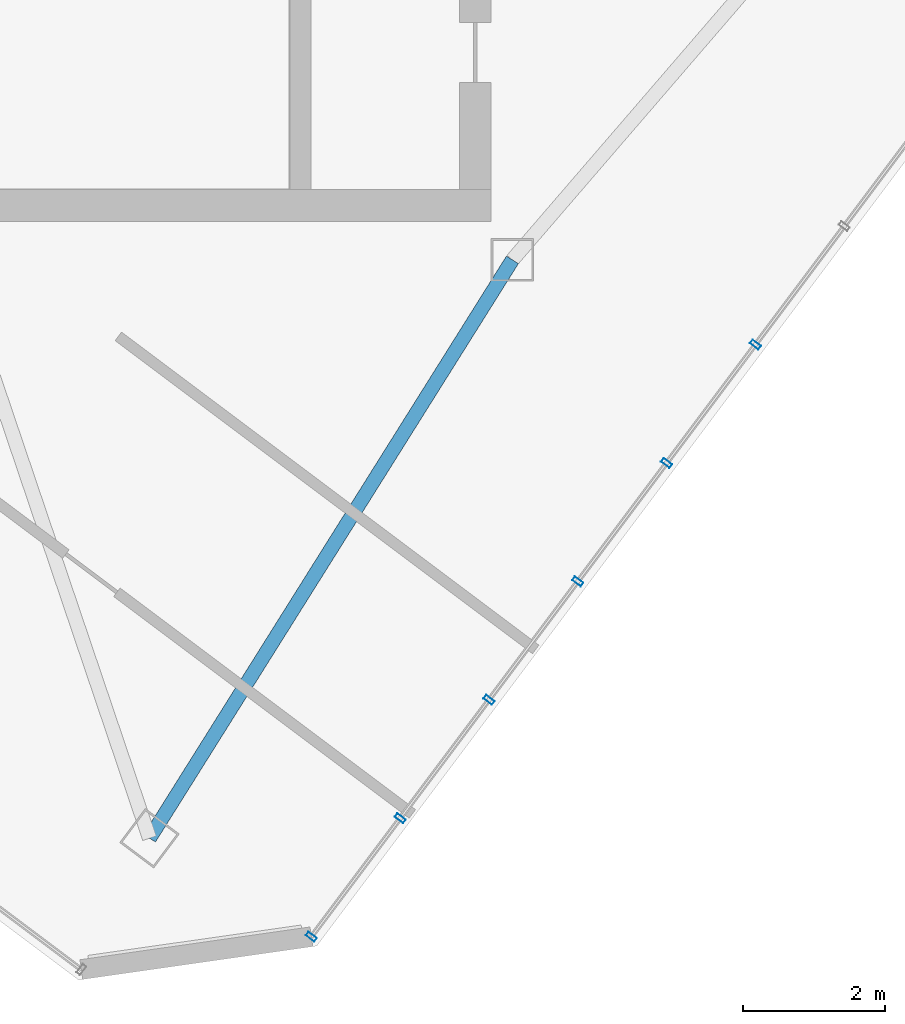
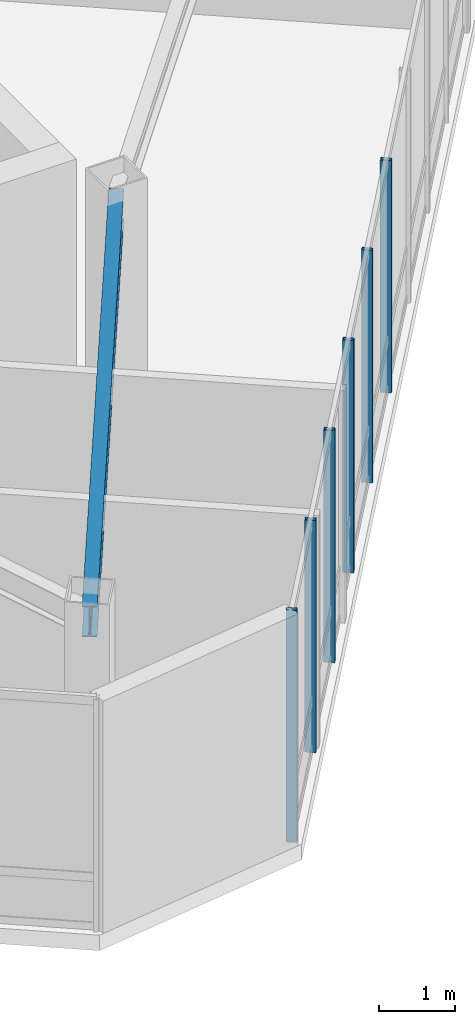
# One storey, part 7 of 21: 6 members, 1 beam, 1 element without a shape of its own.
"""IFC4 building model written with IfcOpenShell, lengths in metres."""

from ifc_helpers import new_model, si_unit, direction, frame, origin, origin_2d, place, context, subcontext, project, spatial, hollow_rectangle, i_section, extrude, material, layer, layer_set, material_profile, profile_set, type_object, element, aggregate, save


model = new_model("IFC4")

# Units and contexts
model_context = context("Model", 3, precision=1e-05, world=origin(), true_north=direction((0.0, 1.0)))
body_context = subcontext(model_context, "Body", "Model", "MODEL_VIEW")
ifc_project = project(units=[si_unit("LENGTHUNIT", "METRE"), si_unit("AREAUNIT", "SQUARE_METRE"), si_unit("VOLUMEUNIT", "CUBIC_METRE"), si_unit("PLANEANGLEUNIT", "RADIAN"), si_unit("MASSUNIT", "GRAM", prefix="KILO")], contexts=[model_context])

# Site, building, storey
site_placement = place(None, origin())
site = spatial("IfcSite", under=ifc_project, at=site_placement, CompositionType="ELEMENT")
building_placement = place(site_placement, origin())
building = spatial("IfcBuilding", under=site, at=building_placement, Name="Hatsunagi Terrace Concourse", CompositionType="ELEMENT")
storey_placement = place(building_placement, frame((0.0, 0.0, 265.949951171875)))
storey = spatial("IfcBuildingStorey", under=building, at=storey_placement, Name="L70", CompositionType="ELEMENT", Elevation=265.949951171875)

# Beam
ifc_material_1 = material(Name="Steel SN490B", Category="steel")
ifc_material_profile_1 = material_profile(ifc_material_1, i_section(OverallWidth=0.199951171875, OverallDepth=0.5, WebThickness=0.010009765625, FlangeThickness=0.01611328125, FilletRadius=0.01611328125, at=origin_2d()), Name="H-500x200x10x16")
ifc_profile_set_1 = profile_set([ifc_material_profile_1], Name="Steel SN490B")
beam_type = type_object("IfcBeamType", Name="CrownFloorGirder_H_500x200", PredefinedType="BEAM", material=ifc_profile_set_1)
beam_placement = place(storey_placement, frame((38.679931640625, 16.0400390625, 3.5), z_axis=(0.531503907049, 0.847055840421, 0.0), x_axis=(-0.847055840421, 0.531503907049, 0.0)))
element("IfcBeam", 1, at=beam_placement, inside=storey, type_object=beam_type, Name="Beam G-07 BM-L70-SET-1A", PredefinedType="BEAM", context=body_context, shape_type="SweptSolid", body=[
    extrude(i_section(OverallWidth=0.199951171875, OverallDepth=0.5, WebThickness=0.010009765625, FlangeThickness=0.01611328125, FilletRadius=0.01611328125, at=origin_2d()), origin(), (0.0, 0.0, 1.0), 9.63330078125),
])

# Curtain wall, members
ifc_material_2 = material(Name="Anodised Aluminium Alloy 6063-T5", Category="aluminium")
ifc_layer = layer(ifc_material_2, 0.199951171875)
ifc_layer_set = layer_set([ifc_layer], Name="CrownWintergarden_CW06")
curtain_wall_type = type_object("IfcCurtainWallType", Name="CrownWintergarden_CW06", PredefinedType="NOTDEFINED", material=ifc_layer_set)
curtain_wall_placement = place(storey_placement, origin())
curtain_wall = element("IfcCurtainWall", 2, at=curtain_wall_placement, inside=storey, type_object=curtain_wall_type, Name="Unitised Curtain Wall CW-06 CW-L70-03", PredefinedType="NOTDEFINED")
ifc_material_3 = material(Name="Anodised Aluminium Alloy 6063-T5", Category="aluminium")
ifc_material_profile_2 = material_profile(ifc_material_3, hollow_rectangle(XDim=0.06494140625, YDim=0.14990234375, WallThickness=0.00390625, at=origin_2d()), Name="ALU-MUL-150x65x4")
ifc_profile_set_2 = profile_set([ifc_material_profile_2], Name="Anodised Aluminium Alloy 6063-T5")
member_type = type_object("IfcMemberType", Name="CurtainWallMullion_Crown_150x65", PredefinedType="MULLION", material=ifc_profile_set_2)
member_1_placement = place(storey_placement, frame((47.22802734375, 23.00390625, 0.0), z_axis=(0.0, 0.0, 1.0), x_axis=(-0.599969314634, -0.800023013105, 0.0)))
member_1 = element("IfcMember", 3, at=member_1_placement, type_object=member_type, Name="Curtain Wall Mullion MUL-03", PredefinedType="MULLION", context=body_context, shape_type="SweptSolid", body=[
    extrude(hollow_rectangle(XDim=0.06494140625, YDim=0.14990234375, WallThickness=0.00390625, at=origin_2d()), origin(), (0.0, 0.0, 1.0), 3.75),
])
member_2_placement = place(storey_placement, frame((45.97509765625, 21.3330078125, 0.0), z_axis=(0.0, 0.0, 1.0), x_axis=(-0.599969314634, -0.800023013105, 0.0)))
member_2 = element("IfcMember", 4, at=member_2_placement, type_object=member_type, Name="Curtain Wall Mullion MUL-03", PredefinedType="MULLION", context=body_context, shape_type="SweptSolid", body=[
    extrude(hollow_rectangle(XDim=0.06494140625, YDim=0.14990234375, WallThickness=0.00390625, at=origin_2d()), origin(), (0.0, 0.0, 1.0), 3.75),
])
member_3_placement = place(storey_placement, frame((44.721923828125, 19.662109375, 0.0), z_axis=(0.0, 0.0, 1.0), x_axis=(-0.599969314634, -0.800023013105, 0.0)))
member_3 = element("IfcMember", 5, at=member_3_placement, type_object=member_type, Name="Curtain Wall Mullion MUL-03", PredefinedType="MULLION", context=body_context, shape_type="SweptSolid", body=[
    extrude(hollow_rectangle(XDim=0.06494140625, YDim=0.14990234375, WallThickness=0.00390625, at=origin_2d()), origin(), (0.0, 0.0, 1.0), 3.75),
])
member_4_placement = place(storey_placement, frame((43.468994140625, 17.991943359375, 0.0), z_axis=(0.0, 0.0, 1.0), x_axis=(-0.599969314634, -0.800023013105, 0.0)))
member_4 = element("IfcMember", 6, at=member_4_placement, type_object=member_type, Name="Curtain Wall Mullion MUL-03", PredefinedType="MULLION", context=body_context, shape_type="SweptSolid", body=[
    extrude(hollow_rectangle(XDim=0.06494140625, YDim=0.14990234375, WallThickness=0.00390625, at=origin_2d()), origin(), (0.0, 0.0, 1.0), 3.75),
])
member_5_placement = place(storey_placement, frame((42.216064453125, 16.321044921875, 0.0), z_axis=(0.0, 0.0, 1.0), x_axis=(-0.599969314634, -0.800023013105, 0.0)))
member_5 = element("IfcMember", 7, at=member_5_placement, type_object=member_type, Name="Curtain Wall Mullion MUL-03", PredefinedType="MULLION", context=body_context, shape_type="SweptSolid", body=[
    extrude(hollow_rectangle(XDim=0.06494140625, YDim=0.14990234375, WallThickness=0.00390625, at=origin_2d()), origin(), (0.0, 0.0, 1.0), 3.75),
])
member_6_placement = place(storey_placement, frame((40.962890625, 14.64990234375, 0.0), z_axis=(0.0, 0.0, 1.0), x_axis=(-0.599969314634, -0.800023013105, 0.0)))
member_6 = element("IfcMember", 8, at=member_6_placement, type_object=member_type, Name="Curtain Wall Mullion MUL-03", PredefinedType="MULLION", context=body_context, shape_type="SweptSolid", body=[
    extrude(hollow_rectangle(XDim=0.06494140625, YDim=0.14990234375, WallThickness=0.00390625, at=origin_2d()), origin(), (0.0, 0.0, 1.0), 3.75),
])
aggregate(curtain_wall, [member_1, member_2, member_3, member_4, member_5, member_6])

save(model, "model.ifc")
